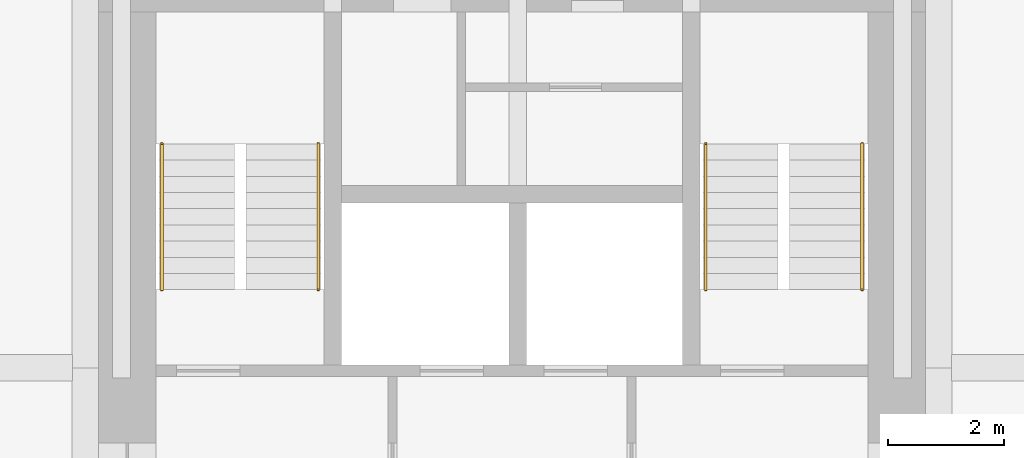
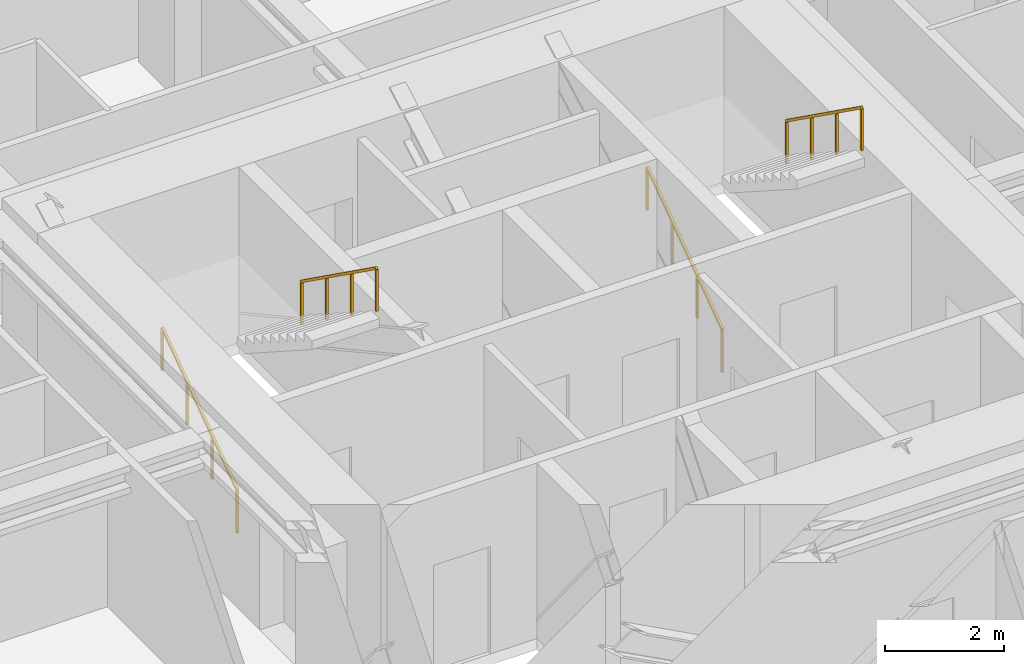
# One storey, part 10 of 10: 4 railings.
"""IFC4 building model written with IfcOpenShell, lengths in metres."""

from ifc_helpers import new_model, si_unit, direction, frame, origin, origin_2d, place, context, subcontext, project, spatial, rectangle, extrude, material, type_object, element, save


model = new_model("IFC4")

# Units and contexts
model_context = context("Model", 3, precision=1e-05, world=origin(), true_north=direction((0.0, 1.0)))
body_context = subcontext(model_context, "Body", "Model", "MODEL_VIEW")
ifc_project = project(units=[si_unit("LENGTHUNIT", "METRE"), si_unit("AREAUNIT", "SQUARE_METRE"), si_unit("VOLUMEUNIT", "CUBIC_METRE"), si_unit("PLANEANGLEUNIT", "RADIAN"), si_unit("MASSUNIT", "GRAM", prefix="KILO")], contexts=[model_context])

# Site, building, storey
site_placement = place(None, origin())
site = spatial("IfcSite", under=ifc_project, at=site_placement, CompositionType="ELEMENT")
building_placement = place(site_placement, origin())
building = spatial("IfcBuilding", under=site, at=building_placement, Name="Nyansa Garden Tower", CompositionType="ELEMENT")
storey_placement = place(building_placement, frame((0.0, 0.0, 174.60009765625)))
storey = spatial("IfcBuildingStorey", under=building, at=storey_placement, Name="L47", CompositionType="ELEMENT", Elevation=174.60009765625)

# Railings
ifc_material = material(Name="Black powder-coated steel tube 48 mm", Category="steel")
railing_type = type_object("IfcRailingType", Name="Stair handrail HR1", PredefinedType="HANDRAIL", material=ifc_material)
railing_1_placement = place(storey_placement, frame((14.199951171875, 21.60009765625, 0.0)))
element("IfcRailing", 1, at=railing_1_placement, inside=storey, type_object=railing_type, Name="Stair S1 handrail L47", PredefinedType="HANDRAIL", context=body_context, shape_type="SweptSolid", body=[
    extrude(rectangle(XDim=0.048095703125, YDim=0.048095703125, at=origin_2d()), frame((0.0, 0.0, 0.8759765625), z_axis=(0.0, 0.813765431312, 0.581193446971), x_axis=(-1.0, 0.0, 0.0)), (0.0, 0.0, 1.0), 3.0966796875),
    extrude(rectangle(XDim=0.0419921875, YDim=0.0419921875, at=origin_2d()), origin(), (0.0, 0.0, 1.0), 0.851806640625),
    extrude(rectangle(XDim=0.0419921875, YDim=0.0419921875, at=origin_2d()), frame((0.0, 0.840087890625, 0.599853515625)), (0.0, 0.0, 1.0), 0.851806640625),
    extrude(rectangle(XDim=0.0419921875, YDim=0.0419921875, at=origin_2d()), frame((0.0, 1.679931640625, 1.199951171875)), (0.0, 0.0, 1.0), 0.851806640625),
    extrude(rectangle(XDim=0.0419921875, YDim=0.0419921875, at=origin_2d()), frame((0.0, 2.52001953125, 1.7998046875)), (0.0, 0.0, 1.0), 0.851806640625),
])
railing_2_placement = place(storey_placement, frame((16.89990234375, 24.1201171875, 1.7998046875)))
element("IfcRailing", 2, at=railing_2_placement, inside=storey, type_object=railing_type, Name="Stair S1 handrail L47", PredefinedType="HANDRAIL", context=body_context, shape_type="SweptSolid", body=[
    extrude(rectangle(XDim=0.048095703125, YDim=0.048095703125, at=origin_2d()), frame((0.0, 0.0, 0.8759765625), z_axis=(0.0, -0.813728144527, 0.581245650998), x_axis=(1.0, 0.0, 0.0)), (0.0, 0.0, 1.0), 3.096923828125),
    extrude(rectangle(XDim=0.0419921875, YDim=0.0419921875, at=origin_2d()), origin(), (0.0, 0.0, 1.0), 0.851806640625),
    extrude(rectangle(XDim=0.0419921875, YDim=0.0419921875, at=origin_2d()), frame((0.0, -0.840087890625, 0.60009765625)), (0.0, 0.0, 1.0), 0.851806640625),
    extrude(rectangle(XDim=0.0419921875, YDim=0.0419921875, at=origin_2d()), frame((0.0, -1.679931640625, 1.199951171875)), (0.0, 0.0, 1.0), 0.851806640625),
    extrude(rectangle(XDim=0.0419921875, YDim=0.0419921875, at=origin_2d()), frame((0.0, -2.52001953125, 1.800048828125)), (0.0, 0.0, 1.0), 0.851806640625),
])
railing_3_placement = place(storey_placement, frame((23.60009765625, 21.60009765625, 0.0)))
element("IfcRailing", 3, at=railing_3_placement, inside=storey, type_object=railing_type, Name="Stair S2 handrail L47", PredefinedType="HANDRAIL", context=body_context, shape_type="SweptSolid", body=[
    extrude(rectangle(XDim=0.048095703125, YDim=0.048095703125, at=origin_2d()), frame((0.0, 0.0, 0.8759765625), z_axis=(0.0, 0.813765431312, 0.581193446971), x_axis=(-1.0, 0.0, 0.0)), (0.0, 0.0, 1.0), 3.0966796875),
    extrude(rectangle(XDim=0.0419921875, YDim=0.0419921875, at=origin_2d()), origin(), (0.0, 0.0, 1.0), 0.851806640625),
    extrude(rectangle(XDim=0.0419921875, YDim=0.0419921875, at=origin_2d()), frame((0.0, 0.840087890625, 0.599853515625)), (0.0, 0.0, 1.0), 0.851806640625),
    extrude(rectangle(XDim=0.0419921875, YDim=0.0419921875, at=origin_2d()), frame((0.0, 1.679931640625, 1.199951171875)), (0.0, 0.0, 1.0), 0.851806640625),
    extrude(rectangle(XDim=0.0419921875, YDim=0.0419921875, at=origin_2d()), frame((0.0, 2.52001953125, 1.7998046875)), (0.0, 0.0, 1.0), 0.851806640625),
])
railing_4_placement = place(storey_placement, frame((26.300048828125, 24.1201171875, 1.7998046875)))
element("IfcRailing", 4, at=railing_4_placement, inside=storey, type_object=railing_type, Name="Stair S2 handrail L47", PredefinedType="HANDRAIL", context=body_context, shape_type="SweptSolid", body=[
    extrude(rectangle(XDim=0.048095703125, YDim=0.048095703125, at=origin_2d()), frame((0.0, 0.0, 0.8759765625), z_axis=(0.0, -0.813728144527, 0.581245650998), x_axis=(1.0, 0.0, 0.0)), (0.0, 0.0, 1.0), 3.096923828125),
    extrude(rectangle(XDim=0.0419921875, YDim=0.0419921875, at=origin_2d()), origin(), (0.0, 0.0, 1.0), 0.851806640625),
    extrude(rectangle(XDim=0.0419921875, YDim=0.0419921875, at=origin_2d()), frame((0.0, -0.840087890625, 0.60009765625)), (0.0, 0.0, 1.0), 0.851806640625),
    extrude(rectangle(XDim=0.0419921875, YDim=0.0419921875, at=origin_2d()), frame((0.0, -1.679931640625, 1.199951171875)), (0.0, 0.0, 1.0), 0.851806640625),
    extrude(rectangle(XDim=0.0419921875, YDim=0.0419921875, at=origin_2d()), frame((0.0, -2.52001953125, 1.800048828125)), (0.0, 0.0, 1.0), 0.851806640625),
])

save(model, "model.ifc")
